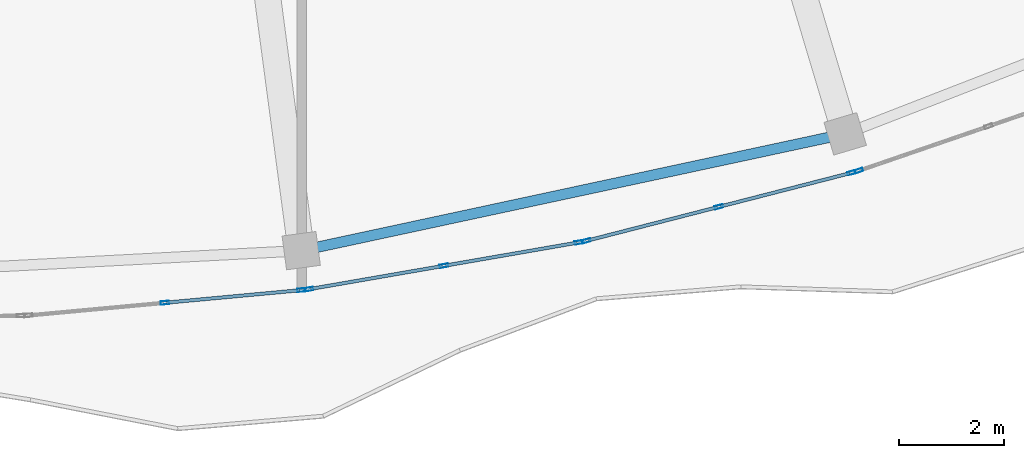
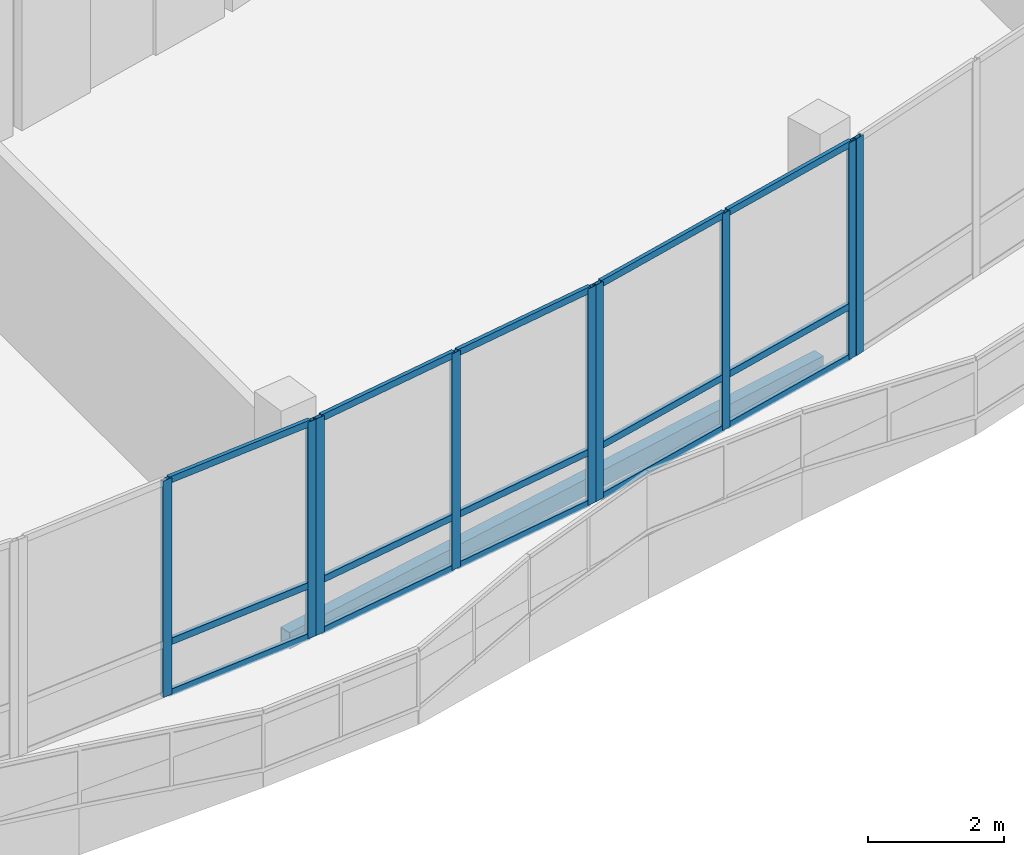
# One storey, part 22 of 184: 24 members, 1 beam, 4 elements without a shape of their own.
"""IFC4 building model written with IfcOpenShell, lengths in metres."""

import ifcopenshell
import ifcopenshell.guid

model = None  # the IFC model being written
_history = None  # IfcOwnerHistory: only IFC2X3 demands one
_inside = {}  # id of a spatial element -> (the spatial element, [elements in it])
_under = {}  # id of a project, library or spatial element -> (it, [spatial elements below it])
_declared = {}  # id of a project -> (the project, [libraries it declares])
_typed = {}  # id of a type object -> (the type object, [elements of that type])
_made_of = {}  # id of a material, layer set ... -> (it, [elements and type objects made of it])


def new_model(schema):
    """Start an empty IFC model of exactly this schema.

    Asked for "IFC4X3", IfcOpenShell would pick the latest addendum, in which some entities
    have other attributes; the version numbers below select the first issue.
    IFC2X3 requires an IfcOwnerHistory on every rooted entity: one is made here for all.
    """
    global model, _history
    if schema == "IFC4X3":
        model = ifcopenshell.file(schema_version=(4, 3, 0, 0))
    else:
        model = ifcopenshell.file(schema=schema)
    _inside.clear()
    _under.clear()
    _declared.clear()
    _typed.clear()
    _made_of.clear()
    _history = None
    if model.schema == "IFC2X3":
        org = make("IfcOrganization", Name="unknown")
        user = make(
            "IfcPersonAndOrganization",
            ThePerson=make("IfcPerson", FamilyName="unknown"),
            TheOrganization=org,
        )
        app = make(
            "IfcApplication",
            ApplicationDeveloper=org,
            Version="unknown",
            ApplicationFullName="unknown",
            ApplicationIdentifier="unknown",
        )
        _history = make(
            "IfcOwnerHistory",
            OwningUser=user,
            OwningApplication=app,
            ChangeAction="ADDED",
            CreationDate=0,
        )
    return model


def make(cls, **values):
    """One entity of the class cls with the attributes given. An attribute that is None is left unset."""
    return model.create_entity(
        cls, **{name: value for name, value in values.items() if value is not None}
    )


def rooted(cls, **values):
    """An entity with a GlobalId (a new one), such as an element, a storey or a relation."""
    return make(cls, GlobalId=ifcopenshell.guid.new(), OwnerHistory=_history, **values)


def si_unit(unit_type, name, prefix=None):
    """IfcSIUnit, for example si_unit("LENGTHUNIT", "METRE", prefix="MILLI")."""
    return make("IfcSIUnit", UnitType=unit_type, Prefix=prefix, Name=name)


def assignment(units):
    """IfcUnitAssignment: the units of a project."""
    return None if units is None else make("IfcUnitAssignment", Units=units)


def point(xyz):
    """IfcCartesianPoint."""
    return None if xyz is None else make("IfcCartesianPoint", Coordinates=xyz)


def direction(xyz):
    """IfcDirection."""
    return None if xyz is None else make("IfcDirection", DirectionRatios=xyz)


def frame(location, z_axis=None, x_axis=None):
    """IfcAxis2Placement3D, a coordinate frame: its origin and axes. An axis left out is left unset."""
    return make(
        "IfcAxis2Placement3D",
        Location=point(location),
        Axis=direction(z_axis),
        RefDirection=direction(x_axis),
    )


def frame_2d(location, x_axis=None):
    """IfcAxis2Placement2D, a coordinate frame in the plane: its origin and x axis."""
    return make(
        "IfcAxis2Placement2D", Location=point(location), RefDirection=direction(x_axis)
    )


def origin():
    """The frame at (0, 0, 0) with its axes left unset."""
    return frame((0.0, 0.0, 0.0))


def origin_2d():
    """The frame at (0, 0) in the plane with its x axis left unset."""
    return frame_2d((0.0, 0.0))


def place(relative_to, where):
    """IfcLocalPlacement: puts the frame where relative to a parent placement (None: the world)."""
    return make(
        "IfcLocalPlacement", PlacementRelTo=relative_to, RelativePlacement=where
    )


def context(
    kind, dimensions, precision=None, world=None, true_north=None, identifier=None
):
    """IfcGeometricRepresentationContext, for example the 3D "Model" context."""
    return make(
        "IfcGeometricRepresentationContext",
        ContextIdentifier=identifier,
        ContextType=kind,
        CoordinateSpaceDimension=dimensions,
        Precision=precision,
        WorldCoordinateSystem=world,
        TrueNorth=true_north,
    )


def subcontext(parent, identifier, kind, view, scale=None):
    """IfcGeometricRepresentationSubContext, for example "Body" below "Model"."""
    return make(
        "IfcGeometricRepresentationSubContext",
        ContextIdentifier=identifier,
        ContextType=kind,
        ParentContext=parent,
        TargetScale=scale,
        TargetView=view,
    )


def project(units=None, contexts=None):
    """IfcProject with its units and contexts."""
    return rooted(
        "IfcProject",
        Name="project",
        RepresentationContexts=contexts,
        UnitsInContext=assignment(units),
    )


def spatial(cls, under=None, at=None, **own):
    """A site, building, storey or space (cls), placed at a placement, below another one or the project."""
    s = rooted(cls, ObjectPlacement=at, **own)
    if under is not None:
        _under.setdefault(under.id(), (under, []))[1].append(s)
    return s


def profile(cls, at=None, kind="AREA", **sizes):
    """A parametric profile (cls). Its sizes go by their IFC names, for example OverallWidth=200.0."""
    return make(cls, ProfileType=kind, Position=at, **sizes)


def hollow_rectangle(**sizes):
    """IfcRectangleHollowProfileDef."""
    return profile("IfcRectangleHollowProfileDef", **sizes)


def extrude(swept, where, along, depth):
    """IfcExtrudedAreaSolid: the profile swept, set in the frame where, extruded along a direction by depth."""
    return make(
        "IfcExtrudedAreaSolid",
        SweptArea=swept,
        Position=where,
        ExtrudedDirection=direction(along),
        Depth=depth,
    )


def shape(context_of_items, identifier, shape_type, items):
    """IfcShapeRepresentation: the items that make up one representation, for example the "Body"."""
    return make(
        "IfcShapeRepresentation",
        ContextOfItems=context_of_items,
        RepresentationIdentifier=identifier,
        RepresentationType=shape_type,
        Items=items,
    )


def material(Name=None, Category=None):
    """IfcMaterial."""
    return make("IfcMaterial", Name=Name, Category=Category)


def material_profile(
    of_material, cross_section, Name=None, Category=None, Priority=None
):
    """IfcMaterialProfile: a cross section and its material."""
    return make(
        "IfcMaterialProfile",
        Name=Name,
        Material=of_material,
        Profile=cross_section,
        Priority=Priority,
        Category=Category,
    )


def profile_set(profiles, Name=None, composite=None):
    """IfcMaterialProfileSet."""
    return make(
        "IfcMaterialProfileSet",
        Name=Name,
        MaterialProfiles=profiles,
        CompositeProfile=composite,
    )


def made_of(thing, what):
    """Note that an element or type object is made of a material, layer set ...; save() writes the relation."""
    if what is not None:
        _made_of.setdefault(what.id(), (what, []))[1].append(thing)
    return thing


def type_object(cls, material=None, **own):
    """A type object (cls), such as IfcWallType, which elements share."""
    return made_of(rooted(cls, **own), material)


def element(
    cls,
    number,
    at=None,
    inside=None,
    cuts=None,
    type_object=None,
    material=None,
    context=None,
    identifier="Body",
    shape_type=None,
    held_by="IfcProductDefinitionShape",
    body=None,
    shapes=None,
    **own,
):
    """One element of the class cls, such as IfcWall. Its Tag is "e" and its number.

    at: its placement. inside: the storey or other place that contains it. cuts: it is an
    opening in that element (IfcRelVoidsElement). A single representation is given by context,
    identifier, shape_type and body (its items); several are given by shapes. held_by: the class
    of the entity that holds the representations. save() writes the other relations.
    """
    e = rooted(cls, Tag="e%d" % number, ObjectPlacement=at, **own)
    if body is not None:
        shapes = [shape(context, identifier, shape_type, body)]
    if shapes is not None:
        e.Representation = make(held_by, Representations=shapes)
    if inside is not None:
        _inside.setdefault(inside.id(), (inside, []))[1].append(e)
    if cuts is not None:
        rooted(
            "IfcRelVoidsElement", RelatingBuildingElement=cuts, RelatedOpeningElement=e
        )
    if type_object is not None:
        _typed.setdefault(type_object.id(), (type_object, []))[1].append(e)
    return made_of(e, material)


def aggregate(whole, parts):
    """IfcRelAggregates: a whole, such as a stair, and the parts it consists of."""
    return rooted("IfcRelAggregates", RelatingObject=whole, RelatedObjects=parts)


def save(model, path):
    """Write the relations noted so far, then the file.

    IfcRelAggregates (storeys below a building ...), IfcRelContainedInSpatialStructure (elements
    in a storey), IfcRelDefinesByType, IfcRelAssociatesMaterial and IfcRelDeclares: one each for
    every whole, place, type object, material and project.
    """
    for whole, parts in _under.values():
        aggregate(whole, parts)
    for where, things in _inside.values():
        rooted(
            "IfcRelContainedInSpatialStructure",
            RelatedElements=things,
            RelatingStructure=where,
        )
    for kind, things in _typed.values():
        rooted("IfcRelDefinesByType", RelatedObjects=things, RelatingType=kind)
    for what, things in _made_of.values():
        rooted("IfcRelAssociatesMaterial", RelatedObjects=things, RelatingMaterial=what)
    for by, libraries in _declared.values():
        rooted("IfcRelDeclares", RelatingContext=by, RelatedDefinitions=libraries)
    model.write(path)


model = new_model("IFC4")

# Units and contexts
model_context = context("Model", 3, precision=1e-05, world=origin(), true_north=direction((0.0, 1.0)))
body_context = subcontext(model_context, "Body", "Model", "MODEL_VIEW")
ifc_project = project(units=[si_unit("LENGTHUNIT", "METRE"), si_unit("AREAUNIT", "SQUARE_METRE"), si_unit("VOLUMEUNIT", "CUBIC_METRE"), si_unit("PLANEANGLEUNIT", "RADIAN"), si_unit("MASSUNIT", "GRAM", prefix="KILO")], contexts=[model_context])

# Site, building, storey
site_placement = place(None, origin())
site = spatial("IfcSite", under=ifc_project, at=site_placement, CompositionType="ELEMENT")
building_placement = place(site_placement, origin())
building = spatial("IfcBuilding", under=site, at=building_placement, Name="Selatvlak General Hospital", CompositionType="ELEMENT")
storey_placement = place(building_placement, frame((0.0, 0.0, 15.0)))
storey = spatial("IfcBuildingStorey", under=building, at=storey_placement, Name="L03", CompositionType="ELEMENT", Elevation=15.0)

# Beam
ifc_material_1 = material(Name="Steel S355", Category="steel")
ifc_material_profile_1 = material_profile(ifc_material_1, hollow_rectangle(XDim=0.199951171875, YDim=0.300048828125, WallThickness=0.011962890625, at=origin_2d()), Name="RHS 300x200x12")
ifc_profile_set_1 = profile_set([ifc_material_profile_1], Name="Steel S355")
beam_type = type_object("IfcBeamType", Name="BM-SP3", PredefinedType="SPANDREL", material=ifc_profile_set_1)
beam_placement = place(storey_placement, frame((64.7890625, 13.3310546875, -0.489990234375), z_axis=(0.977714375037, 0.209939517116, 0.0), x_axis=(-0.209939517116, 0.977714375037, 0.0)))
element("IfcBeam", 1, at=beam_placement, inside=storey, type_object=beam_type, Name="Beam BMR-L03-1494", PredefinedType="SPANDREL", context=body_context, shape_type="SweptSolid", body=[
    extrude(hollow_rectangle(XDim=0.199951171875, YDim=0.300048828125, WallThickness=0.011962890625, at=origin_2d()), origin(), (0.0, 0.0, 1.0), 10.602294921875),
])

# Curtain wall, member
ifc_material_2 = material(Name="Solar-control Low-E double glazing", Category="glass")
curtain_wall_type_1 = type_object("IfcCurtainWallType", Name="CW-CW-01", PredefinedType="USERDEFINED", material=ifc_material_2)
curtain_wall_1_placement = place(storey_placement, origin())
curtain_wall_1 = element("IfcCurtainWall", 2, at=curtain_wall_1_placement, inside=storey, type_object=curtain_wall_type_1, Name="Glazed facade curtain wall CW-L03-0423", ObjectType="UNITISED CURTAIN WALL", PredefinedType="USERDEFINED")
ifc_material_3 = material(Name="Dark anodised aluminium mullion", Category="aluminium")
ifc_material_profile_2 = material_profile(ifc_material_3, hollow_rectangle(XDim=0.06494140625, YDim=0.159912109375, WallThickness=0.00390625, at=origin_2d()), Name="AL-MUL 65x160x4")
ifc_profile_set_2 = profile_set([ifc_material_profile_2], Name="Dark anodised aluminium mullion")
member_type_1 = type_object("IfcMemberType", Name="CWM-01", PredefinedType="MULLION", material=ifc_profile_set_2)
member_1_placement = place(storey_placement, frame((75.415771484375, 14.8544921875, 0.0), z_axis=(0.0, 0.0, 1.0), x_axis=(0.324609481996, -0.945848129563, 0.0)))
member_1 = element("IfcMember", 3, at=member_1_placement, type_object=member_type_1, Name="CW-01 mullion 3", PredefinedType="MULLION", context=body_context, shape_type="SweptSolid", body=[
    extrude(hollow_rectangle(XDim=0.06494140625, YDim=0.159912109375, WallThickness=0.00390625, at=origin_2d()), origin(), (0.0, 0.0, 1.0), 3.89501953125),
])
aggregate(curtain_wall_1, [member_1])

# Curtain wall, members
curtain_wall_type_2 = type_object("IfcCurtainWallType", Name="CW-CW-02", PredefinedType="USERDEFINED", material=ifc_material_2)
curtain_wall_2_placement = place(storey_placement, origin())
curtain_wall_2 = element("IfcCurtainWall", 4, at=curtain_wall_2_placement, inside=storey, type_object=curtain_wall_type_2, Name="Glazed facade curtain wall CW-L03-0424", ObjectType="UNITISED CURTAIN WALL", PredefinedType="USERDEFINED")
member_2_placement = place(storey_placement, frame((75.276611328125, 14.81494140625, 0.0), z_axis=(0.0, 0.0, 1.0), x_axis=(0.248543854938, -0.968620644098, 0.0)))
member_2 = element("IfcMember", 5, at=member_2_placement, type_object=member_type_1, Name="CW-02 mullion 1", PredefinedType="MULLION", context=body_context, shape_type="SweptSolid", body=[
    extrude(hollow_rectangle(XDim=0.06494140625, YDim=0.159912109375, WallThickness=0.00390625, at=origin_2d()), origin(), (0.0, 0.0, 1.0), 3.89501953125),
])
member_3_placement = place(storey_placement, frame((72.74951171875, 14.16650390625, 0.0), z_axis=(0.0, 0.0, 1.0), x_axis=(0.248543854938, -0.968620644098, 0.0)))
member_3 = element("IfcMember", 6, at=member_3_placement, type_object=member_type_1, Name="CW-02 mullion 2", PredefinedType="MULLION", context=body_context, shape_type="SweptSolid", body=[
    extrude(hollow_rectangle(XDim=0.06494140625, YDim=0.159912109375, WallThickness=0.00390625, at=origin_2d()), origin(), (0.0, 0.0, 1.0), 3.89501953125),
])
member_4_placement = place(storey_placement, frame((70.222412109375, 13.51806640625, 0.0), z_axis=(0.0, 0.0, 1.0), x_axis=(0.248543854938, -0.968620644098, 0.0)))
member_4 = element("IfcMember", 7, at=member_4_placement, type_object=member_type_1, Name="CW-02 mullion 3", PredefinedType="MULLION", context=body_context, shape_type="SweptSolid", body=[
    extrude(hollow_rectangle(XDim=0.06494140625, YDim=0.159912109375, WallThickness=0.00390625, at=origin_2d()), origin(), (0.0, 0.0, 1.0), 3.89501953125),
])

curtain_wall_3_placement = place(storey_placement, origin())
curtain_wall_3 = element("IfcCurtainWall", 8, at=curtain_wall_3_placement, inside=storey, type_object=curtain_wall_type_1, Name="Glazed facade curtain wall CW-L03-0425", ObjectType="UNITISED CURTAIN WALL", PredefinedType="USERDEFINED")
member_5_placement = place(storey_placement, frame((70.080078125, 13.488525390625, 0.0), z_axis=(0.0, 0.0, 1.0), x_axis=(0.170838151242, -0.985299104881, 0.0)))
member_5 = element("IfcMember", 9, at=member_5_placement, type_object=member_type_1, Name="CW-01 mullion 1", PredefinedType="MULLION", context=body_context, shape_type="SweptSolid", body=[
    extrude(hollow_rectangle(XDim=0.06494140625, YDim=0.159912109375, WallThickness=0.00390625, at=origin_2d()), origin(), (0.0, 0.0, 1.0), 3.89501953125),
])
member_6_placement = place(storey_placement, frame((67.508056640625, 13.04248046875, 0.0), z_axis=(0.0, 0.0, 1.0), x_axis=(0.170838151242, -0.985299104881, 0.0)))
member_6 = element("IfcMember", 10, at=member_6_placement, type_object=member_type_1, Name="CW-01 mullion 2", PredefinedType="MULLION", context=body_context, shape_type="SweptSolid", body=[
    extrude(hollow_rectangle(XDim=0.06494140625, YDim=0.159912109375, WallThickness=0.00390625, at=origin_2d()), origin(), (0.0, 0.0, 1.0), 3.89501953125),
])
member_7_placement = place(storey_placement, frame((64.93603515625, 12.596435546875, 0.0), z_axis=(0.0, 0.0, 1.0), x_axis=(0.170838151242, -0.985299104881, 0.0)))
member_7 = element("IfcMember", 11, at=member_7_placement, type_object=member_type_1, Name="CW-01 mullion 3", PredefinedType="MULLION", context=body_context, shape_type="SweptSolid", body=[
    extrude(hollow_rectangle(XDim=0.06494140625, YDim=0.159912109375, WallThickness=0.00390625, at=origin_2d()), origin(), (0.0, 0.0, 1.0), 3.89501953125),
])

curtain_wall_4_placement = place(storey_placement, origin())
curtain_wall_4 = element("IfcCurtainWall", 12, at=curtain_wall_4_placement, inside=storey, type_object=curtain_wall_type_2, Name="Glazed facade curtain wall CW-L03-0426", ObjectType="UNITISED CURTAIN WALL", PredefinedType="USERDEFINED")
member_8_placement = place(storey_placement, frame((64.791748046875, 12.5791015625, 0.0), z_axis=(0.0, 0.0, 1.0), x_axis=(0.092291967773, -0.995731988381, 0.0)))
member_8 = element("IfcMember", 13, at=member_8_placement, type_object=member_type_1, Name="CW-02 mullion 1", PredefinedType="MULLION", context=body_context, shape_type="SweptSolid", body=[
    extrude(hollow_rectangle(XDim=0.06494140625, YDim=0.159912109375, WallThickness=0.00390625, at=origin_2d()), origin(), (0.0, 0.0, 1.0), 3.89501953125),
])
member_9_placement = place(storey_placement, frame((62.19140625, 12.337890625, 0.0), z_axis=(0.0, 0.0, 1.0), x_axis=(0.092291967773, -0.995731988381, 0.0)))
member_9 = element("IfcMember", 14, at=member_9_placement, type_object=member_type_1, Name="CW-02 mullion 2", PredefinedType="MULLION", context=body_context, shape_type="SweptSolid", body=[
    extrude(hollow_rectangle(XDim=0.06494140625, YDim=0.159912109375, WallThickness=0.00390625, at=origin_2d()), origin(), (0.0, 0.0, 1.0), 3.89501953125),
])

# Member
ifc_material_profile_3 = material_profile(ifc_material_3, hollow_rectangle(XDim=0.06494140625, YDim=0.1201171875, WallThickness=0.00390625, at=origin_2d()), Name="AL-TRN 65x120x4")
ifc_profile_set_3 = profile_set([ifc_material_profile_3], Name="Dark anodised aluminium mullion")
member_type_2 = type_object("IfcMemberType", Name="CWT-01", PredefinedType="USERDEFINED", material=ifc_profile_set_3)
member_10_placement = place(storey_placement, frame((75.2451171875, 14.806884765625, 0.032470703125), z_axis=(-0.968616485503, -0.248560061176, 0.0), x_axis=(0.248560061176, -0.968616485503, 0.0)))
member_10 = element("IfcMember", 15, at=member_10_placement, type_object=member_type_2, Name="CW-02 transom 1.1", ObjectType="TRANSOM", PredefinedType="USERDEFINED", context=body_context, shape_type="SweptSolid", body=[
    extrude(hollow_rectangle(XDim=0.06494140625, YDim=0.1201171875, WallThickness=0.00390625, at=origin_2d()), origin(), (0.0, 0.0, 1.0), 2.5439453125),
])

member_11_placement = place(storey_placement, frame((75.2451171875, 14.806884765625, 0.949951171875), z_axis=(-0.968616485503, -0.248560061176, 0.0), x_axis=(0.248560061176, -0.968616485503, 0.0)))
member_11 = element("IfcMember", 16, at=member_11_placement, type_object=member_type_2, Name="CW-02 transom 1.2", ObjectType="TRANSOM", PredefinedType="USERDEFINED", context=body_context, shape_type="SweptSolid", body=[
    extrude(hollow_rectangle(XDim=0.06494140625, YDim=0.1201171875, WallThickness=0.00390625, at=origin_2d()), origin(), (0.0, 0.0, 1.0), 2.5439453125),
])

member_12_placement = place(storey_placement, frame((75.2451171875, 14.806884765625, 3.862548828125), z_axis=(-0.968616485503, -0.248560061176, 0.0), x_axis=(0.248560061176, -0.968616485503, 0.0)))
member_12 = element("IfcMember", 17, at=member_12_placement, type_object=member_type_2, Name="CW-02 transom 1.3", ObjectType="TRANSOM", PredefinedType="USERDEFINED", context=body_context, shape_type="SweptSolid", body=[
    extrude(hollow_rectangle(XDim=0.06494140625, YDim=0.1201171875, WallThickness=0.00390625, at=origin_2d()), origin(), (0.0, 0.0, 1.0), 2.5439453125),
])

member_13_placement = place(storey_placement, frame((72.718017578125, 14.158447265625, 0.032470703125), z_axis=(-0.968616485503, -0.248560061176, 0.0), x_axis=(0.248560061176, -0.968616485503, 0.0)))
member_13 = element("IfcMember", 18, at=member_13_placement, type_object=member_type_2, Name="CW-02 transom 2.1", ObjectType="TRANSOM", PredefinedType="USERDEFINED", context=body_context, shape_type="SweptSolid", body=[
    extrude(hollow_rectangle(XDim=0.06494140625, YDim=0.1201171875, WallThickness=0.00390625, at=origin_2d()), origin(), (0.0, 0.0, 1.0), 2.5439453125),
])

member_14_placement = place(storey_placement, frame((72.718017578125, 14.158447265625, 0.949951171875), z_axis=(-0.968616485503, -0.248560061176, 0.0), x_axis=(0.248560061176, -0.968616485503, 0.0)))
member_14 = element("IfcMember", 19, at=member_14_placement, type_object=member_type_2, Name="CW-02 transom 2.2", ObjectType="TRANSOM", PredefinedType="USERDEFINED", context=body_context, shape_type="SweptSolid", body=[
    extrude(hollow_rectangle(XDim=0.06494140625, YDim=0.1201171875, WallThickness=0.00390625, at=origin_2d()), origin(), (0.0, 0.0, 1.0), 2.5439453125),
])

member_15_placement = place(storey_placement, frame((72.718017578125, 14.158447265625, 3.862548828125), z_axis=(-0.968616485503, -0.248560061176, 0.0), x_axis=(0.248560061176, -0.968616485503, 0.0)))
member_15 = element("IfcMember", 20, at=member_15_placement, type_object=member_type_2, Name="CW-02 transom 2.3", ObjectType="TRANSOM", PredefinedType="USERDEFINED", context=body_context, shape_type="SweptSolid", body=[
    extrude(hollow_rectangle(XDim=0.06494140625, YDim=0.1201171875, WallThickness=0.00390625, at=origin_2d()), origin(), (0.0, 0.0, 1.0), 2.5439453125),
])

aggregate(curtain_wall_2, [member_2, member_3, member_4, member_10, member_11, member_12, member_13, member_14, member_15])

member_16_placement = place(storey_placement, frame((70.0478515625, 13.48291015625, 0.032470703125), z_axis=(-0.985299625716, -0.170835147333, 0.0), x_axis=(0.170835147333, -0.985299625716, 0.0)))
member_16 = element("IfcMember", 21, at=member_16_placement, type_object=member_type_2, Name="CW-01 transom 1.1", ObjectType="TRANSOM", PredefinedType="USERDEFINED", context=body_context, shape_type="SweptSolid", body=[
    extrude(hollow_rectangle(XDim=0.06494140625, YDim=0.1201171875, WallThickness=0.00390625, at=origin_2d()), origin(), (0.0, 0.0, 1.0), 2.545166015625),
])

member_17_placement = place(storey_placement, frame((70.0478515625, 13.48291015625, 0.949951171875), z_axis=(-0.985299625716, -0.170835147333, 0.0), x_axis=(0.170835147333, -0.985299625716, 0.0)))
member_17 = element("IfcMember", 22, at=member_17_placement, type_object=member_type_2, Name="CW-01 transom 1.2", ObjectType="TRANSOM", PredefinedType="USERDEFINED", context=body_context, shape_type="SweptSolid", body=[
    extrude(hollow_rectangle(XDim=0.06494140625, YDim=0.1201171875, WallThickness=0.00390625, at=origin_2d()), origin(), (0.0, 0.0, 1.0), 2.545166015625),
])

member_18_placement = place(storey_placement, frame((70.0478515625, 13.48291015625, 3.862548828125), z_axis=(-0.985299625716, -0.170835147333, 0.0), x_axis=(0.170835147333, -0.985299625716, 0.0)))
member_18 = element("IfcMember", 23, at=member_18_placement, type_object=member_type_2, Name="CW-01 transom 1.3", ObjectType="TRANSOM", PredefinedType="USERDEFINED", context=body_context, shape_type="SweptSolid", body=[
    extrude(hollow_rectangle(XDim=0.06494140625, YDim=0.1201171875, WallThickness=0.00390625, at=origin_2d()), origin(), (0.0, 0.0, 1.0), 2.545166015625),
])

member_19_placement = place(storey_placement, frame((67.47607421875, 13.036865234375, 0.032470703125), z_axis=(-0.985302424737, -0.170819003062, 0.0), x_axis=(0.170819003062, -0.985302424737, 0.0)))
member_19 = element("IfcMember", 24, at=member_19_placement, type_object=member_type_2, Name="CW-01 transom 2.1", ObjectType="TRANSOM", PredefinedType="USERDEFINED", context=body_context, shape_type="SweptSolid", body=[
    extrude(hollow_rectangle(XDim=0.06494140625, YDim=0.1201171875, WallThickness=0.00390625, at=origin_2d()), origin(), (0.0, 0.0, 1.0), 2.54541015625),
])

member_20_placement = place(storey_placement, frame((67.47607421875, 13.036865234375, 0.949951171875), z_axis=(-0.985302424737, -0.170819003062, 0.0), x_axis=(0.170819003062, -0.985302424737, 0.0)))
member_20 = element("IfcMember", 25, at=member_20_placement, type_object=member_type_2, Name="CW-01 transom 2.2", ObjectType="TRANSOM", PredefinedType="USERDEFINED", context=body_context, shape_type="SweptSolid", body=[
    extrude(hollow_rectangle(XDim=0.06494140625, YDim=0.1201171875, WallThickness=0.00390625, at=origin_2d()), origin(), (0.0, 0.0, 1.0), 2.54541015625),
])

member_21_placement = place(storey_placement, frame((67.47607421875, 13.036865234375, 3.862548828125), z_axis=(-0.985302424737, -0.170819003062, 0.0), x_axis=(0.170819003062, -0.985302424737, 0.0)))
member_21 = element("IfcMember", 26, at=member_21_placement, type_object=member_type_2, Name="CW-01 transom 2.3", ObjectType="TRANSOM", PredefinedType="USERDEFINED", context=body_context, shape_type="SweptSolid", body=[
    extrude(hollow_rectangle(XDim=0.06494140625, YDim=0.1201171875, WallThickness=0.00390625, at=origin_2d()), origin(), (0.0, 0.0, 1.0), 2.54541015625),
])

aggregate(curtain_wall_3, [member_5, member_6, member_7, member_16, member_17, member_18, member_19, member_20, member_21])

member_22_placement = place(storey_placement, frame((64.75927734375, 12.575927734375, 0.032470703125), z_axis=(-0.995736924013, -0.092238702061, 0.0), x_axis=(0.092238702061, -0.995736924013, 0.0)))
member_22 = element("IfcMember", 27, at=member_22_placement, type_object=member_type_2, Name="CW-02 transom 1.1", ObjectType="TRANSOM", PredefinedType="USERDEFINED", context=body_context, shape_type="SweptSolid", body=[
    extrude(hollow_rectangle(XDim=0.06494140625, YDim=0.1201171875, WallThickness=0.00390625, at=origin_2d()), origin(), (0.0, 0.0, 1.0), 2.546142578125),
])

member_23_placement = place(storey_placement, frame((64.75927734375, 12.575927734375, 0.949951171875), z_axis=(-0.995736924013, -0.092238702061, 0.0), x_axis=(0.092238702061, -0.995736924013, 0.0)))
member_23 = element("IfcMember", 28, at=member_23_placement, type_object=member_type_2, Name="CW-02 transom 1.2", ObjectType="TRANSOM", PredefinedType="USERDEFINED", context=body_context, shape_type="SweptSolid", body=[
    extrude(hollow_rectangle(XDim=0.06494140625, YDim=0.1201171875, WallThickness=0.00390625, at=origin_2d()), origin(), (0.0, 0.0, 1.0), 2.546142578125),
])

member_24_placement = place(storey_placement, frame((64.75927734375, 12.575927734375, 3.862548828125), z_axis=(-0.995736924013, -0.092238702061, 0.0), x_axis=(0.092238702061, -0.995736924013, 0.0)))
member_24 = element("IfcMember", 29, at=member_24_placement, type_object=member_type_2, Name="CW-02 transom 1.3", ObjectType="TRANSOM", PredefinedType="USERDEFINED", context=body_context, shape_type="SweptSolid", body=[
    extrude(hollow_rectangle(XDim=0.06494140625, YDim=0.1201171875, WallThickness=0.00390625, at=origin_2d()), origin(), (0.0, 0.0, 1.0), 2.546142578125),
])

aggregate(curtain_wall_4, [member_8, member_9, member_22, member_23, member_24])

save(model, "model.ifc")
